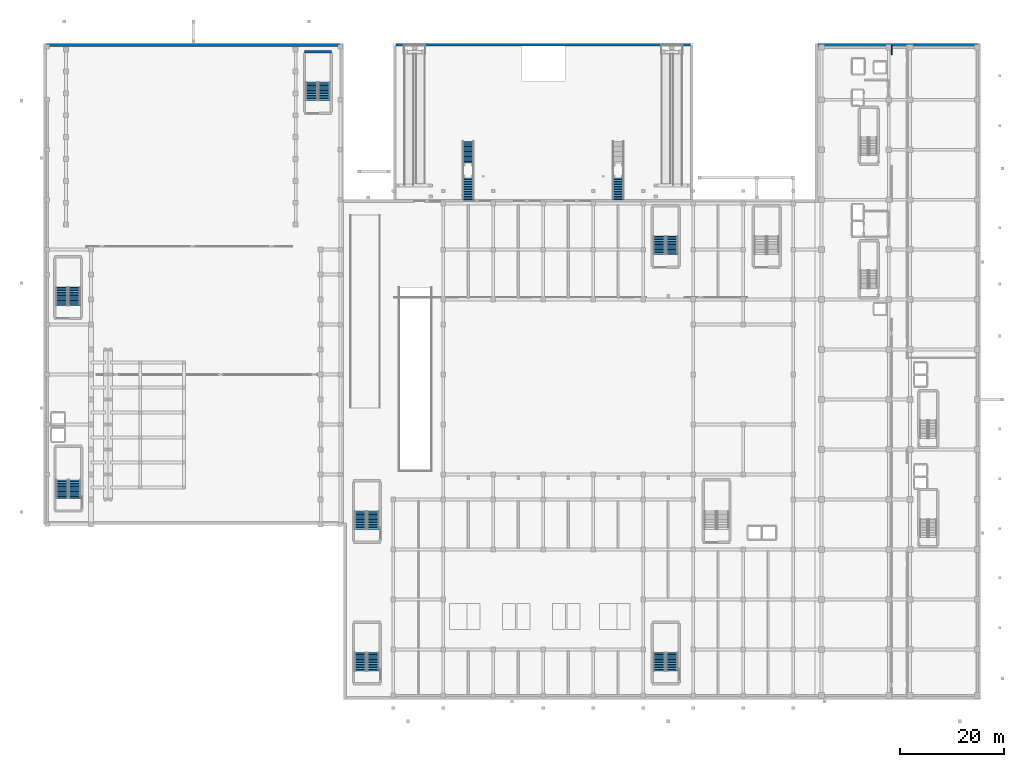
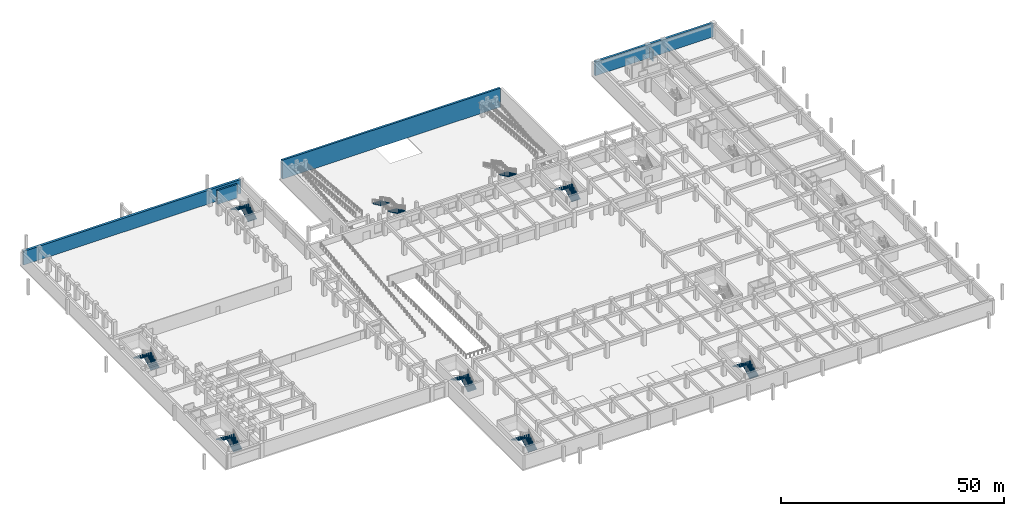
# One storey, part 19 of 39: 17 stair flights, 5 walls, 9 elements without a shape of their own.
"""IFC4 building model written with IfcOpenShell, lengths in metres."""

from ifc_helpers import new_model, si_unit, direction, frame, frame_2d, origin, place, context, subcontext, project, spatial, polyline, rectangle, outline, extrude, material, layer, layer_set, type_object, element, aggregate, save


model = new_model("IFC4")

# Units and contexts
model_context = context("Model", 3, precision=1e-05, world=origin(), true_north=direction((0.0, 1.0)))
body_context = subcontext(model_context, "Body", "Model", "MODEL_VIEW")
ifc_project = project(units=[si_unit("LENGTHUNIT", "METRE"), si_unit("AREAUNIT", "SQUARE_METRE"), si_unit("VOLUMEUNIT", "CUBIC_METRE"), si_unit("PLANEANGLEUNIT", "RADIAN"), si_unit("MASSUNIT", "GRAM", prefix="KILO")], contexts=[model_context])

# Site, building, storey
site_placement = place(None, origin())
site = spatial("IfcSite", under=ifc_project, at=site_placement, CompositionType="ELEMENT")
building_placement = place(site_placement, origin())
building = spatial("IfcBuilding", under=site, at=building_placement, Name="Nakhvara Creek Congress Hotel", CompositionType="ELEMENT")
storey_placement = place(building_placement, frame((0.0, 0.0, -4.199951171875)))
storey = spatial("IfcBuildingStorey", under=building, at=storey_placement, Name="B1", CompositionType="ELEMENT", Elevation=-4.199951171875)

# Walls
ifc_material_1 = material(Name="Concrete C50/60", Category="concrete")
ifc_layer_1 = layer(ifc_material_1, 0.449951171875)
ifc_layer_set_1 = layer_set([ifc_layer_1], Name="Concrete C50/60")
wall_type_1 = type_object("IfcWallType", Name="W-CORE-450", PredefinedType="SHEAR", material=ifc_layer_set_1)
wall_1_placement = place(storey_placement, frame((50.14990234375, 124.419921875, 0.0), z_axis=(0.0, 0.0, 1.0), x_axis=(1.0, 0.0, 0.0)))
element("IfcWall", 1, at=wall_1_placement, inside=storey, type_object=wall_type_1, Name="Core Shear Wall WS02-CWALL-B1-0876", PredefinedType="SHEAR", context=body_context, shape_type="SweptSolid", body=[
    extrude(rectangle(XDim=5.150146484375, YDim=0.449951171875, at=frame_2d((2.5751953125, 0.0))), origin(), (0.0, 0.0, 1.0), 3.780029296875),
])
ifc_material_2 = material(Name="Gypsum acoustic board on steel stud", Category="steel")
ifc_layer_2 = layer(ifc_material_2, 0.219970703125)
ifc_layer_set_2 = layer_set([ifc_layer_2], Name="Gypsum acoustic board on steel stud")
wall_type_2 = type_object("IfcWallType", Name="W-CORR-220", PredefinedType="PARTITIONING", material=ifc_layer_set_2)
wall_2_placement = place(storey_placement, frame((162.919921875, 123.800048828125, 0.0), z_axis=(0.0, 0.0, 1.0), x_axis=(0.0, 1.0, 0.0)))
element("IfcWall", 2, at=wall_2_placement, inside=storey, type_object=wall_type_2, Name="Interior Wall WP11-IW-B1-0041", PredefinedType="PARTITIONING", context=body_context, shape_type="SweptSolid", body=[
    extrude(rectangle(XDim=1.849853515625, YDim=0.219970703125, at=frame_2d((0.9248046875, 0.0))), origin(), (0.0, 0.0, 1.0), 3.02197265625),
])
ifc_material_3 = material(Name="Concrete C40/50", Category="concrete")
ifc_layer_3 = layer(ifc_material_3, 0.52001953125)
ifc_layer_set_3 = layer_set([ifc_layer_3], Name="Concrete C40/50")
wall_type_3 = type_object("IfcWallType", Name="W-RET-520", PredefinedType="USERDEFINED", material=ifc_layer_set_3)
wall_3_placement = place(storey_placement, frame((67.719970703125, 125.739990234375, 0.0), z_axis=(0.0, 0.0, 1.0), x_axis=(1.0, 0.0, 0.0)))
element("IfcWall", 3, at=wall_3_placement, inside=storey, type_object=wall_type_3, Name="Exterior Wall WR02-EW-B1-0022", ObjectType="RETAININGWALL", PredefinedType="USERDEFINED", context=body_context, shape_type="SweptSolid", body=[
    extrude(rectangle(XDim=56.56005859375, YDim=0.52001953125, at=frame_2d((28.280029296875, 0.0))), origin(), (0.0, 0.0, 1.0), 5.199951171875),
])
ifc_layer_4 = layer(ifc_material_3, 0.60009765625)
ifc_layer_set_4 = layer_set([ifc_layer_4], Name="Concrete C40/50")
wall_type_4 = type_object("IfcWallType", Name="W-RET-600", PredefinedType="USERDEFINED", material=ifc_layer_set_4)
wall_4_placement = place(storey_placement, frame((0.60009765625, 125.699951171875, 0.0), z_axis=(0.0, 0.0, 1.0), x_axis=(1.0, 0.0, 0.0)))
element("IfcWall", 4, at=wall_4_placement, inside=storey, type_object=wall_type_4, Name="Exterior Wall WR01-EW-B1-0012", ObjectType="RETAININGWALL", PredefinedType="USERDEFINED", context=body_context, shape_type="SweptSolid", body=[
    extrude(rectangle(XDim=56.39990234375, YDim=0.60009765625, at=frame_2d((28.199951171875, 0.0))), origin(), (0.0, 0.0, 1.0), 3.780029296875),
])
wall_5_placement = place(storey_placement, frame((148.800048828125, 125.699951171875, 0.0), z_axis=(0.0, 0.0, 1.0), x_axis=(1.0, 0.0, 0.0)))
element("IfcWall", 5, at=wall_5_placement, inside=storey, type_object=wall_type_4, Name="Exterior Wall WR01-EW-B1-0016", ObjectType="RETAININGWALL", PredefinedType="USERDEFINED", context=body_context, shape_type="SweptSolid", body=[
    extrude(rectangle(XDim=30.599853515625, YDim=0.60009765625, at=frame_2d((15.2998046875, 0.0))), origin(), (0.0, 0.0, 1.0), 3.780029296875),
])

# Stair, stair flights
stair_type_1 = type_object("IfcStairType", Name="ST-CORE-230", PredefinedType="HALF_TURN_STAIR", material=ifc_material_3)
stair_1_placement = place(storey_placement, origin())
stair_1 = element("IfcStair", 6, at=stair_1_placement, inside=storey, type_object=stair_type_1, Name="B1 Protected Exit Stair ST05", PredefinedType="HALF_TURN_STAIR")
ifc_layer_5 = layer(ifc_material_3, 0.219970703125)
ifc_layer_set_5 = layer_set([ifc_layer_5], Name="Concrete C40/50")
stair_flight_type_1 = type_object("IfcStairFlightType", Name="SFL-RC-230", PredefinedType="STRAIGHT", material=ifc_layer_set_5)
stair_flight_1_placement = place(storey_placement, frame((6.02001953125, 38.679931640625, 0.0), z_axis=(0.0, 0.0, 1.0), x_axis=(0.0, 1.0, 0.0)))
stair_flight_1 = element("IfcStairFlight", 7, at=stair_flight_1_placement, type_object=stair_flight_type_1, Name="ST05 flight 1", NumberOfRisers=12, NumberOfTreads=11, PredefinedType="STRAIGHT", RiserHeight=0.175, TreadLength=0.315, context=body_context, shape_type="SweptSolid", body=[
    extrude(outline(polyline([(-0.048095703125, 0.0), (0.0, 0.0), (0.0, 0.175048828125), (0.31494140625, 0.175048828125), (0.31494140625, 0.35009765625), (0.6298828125, 0.35009765625), (0.6298828125, 0.52490234375), (0.945068359375, 0.52490234375), (0.945068359375, 0.699951171875), (1.260009765625, 0.699951171875), (1.260009765625, 0.875), (1.574951171875, 0.875), (1.574951171875, 1.050048828125), (1.889892578125, 1.050048828125), (1.889892578125, 1.22509765625), (2.205078125, 1.22509765625), (2.205078125, 1.39990234375), (2.52001953125, 1.39990234375), (2.52001953125, 1.574951171875), (2.8349609375, 1.574951171875), (2.8349609375, 1.75), (3.14990234375, 1.75), (3.14990234375, 1.925048828125), (3.465087890625, 1.925048828125), (3.465087890625, 2.10009765625), (3.51318359375, 2.10009765625), (3.51318359375, 1.9501953125), (3.465087890625, 1.75341796875), (0.038818359375, -0.14990234375), (-0.048095703125, -0.14990234375), (-0.048095703125, 0.0)])), frame((0.0, 1.14013671875, 0.0), z_axis=(0.0, -1.0, 0.0), x_axis=(1.0, 0.0, 0.0)), (0.0, 0.0, 1.0), 2.280029296875),
])
stair_flight_2_placement = place(storey_placement, frame((3.590087890625, 42.14501953125, 2.099853515625), z_axis=(0.0, 0.0, 1.0), x_axis=(0.0, -1.0, 0.0)))
stair_flight_2 = element("IfcStairFlight", 8, at=stair_flight_2_placement, type_object=stair_flight_type_1, Name="ST05 flight 2", NumberOfRisers=12, NumberOfTreads=11, PredefinedType="STRAIGHT", RiserHeight=0.175, TreadLength=0.315, context=body_context, shape_type="SweptSolid", body=[
    extrude(outline(polyline([(-0.048095703125, 0.0), (0.0, 0.0), (0.0, 0.175048828125), (0.31494140625, 0.175048828125), (0.31494140625, 0.35009765625), (0.6298828125, 0.35009765625), (0.6298828125, 0.52490234375), (0.945068359375, 0.52490234375), (0.945068359375, 0.699951171875), (1.260009765625, 0.699951171875), (1.260009765625, 0.875), (1.574951171875, 0.875), (1.574951171875, 1.050048828125), (1.889892578125, 1.050048828125), (1.889892578125, 1.22509765625), (2.205078125, 1.22509765625), (2.205078125, 1.39990234375), (2.52001953125, 1.39990234375), (2.52001953125, 1.574951171875), (2.8349609375, 1.574951171875), (2.8349609375, 1.75), (3.14990234375, 1.75), (3.14990234375, 1.925048828125), (3.465087890625, 1.925048828125), (3.465087890625, 2.10009765625), (3.51318359375, 2.10009765625), (3.51318359375, 1.9501953125), (3.465087890625, 1.75341796875), (0.038818359375, -0.14990234375), (-0.048095703125, -0.14990234375), (-0.048095703125, 0.0)])), frame((0.0, 1.14013671875, 0.0), z_axis=(0.0, -1.0, 0.0), x_axis=(1.0, 0.0, 0.0)), (0.0, 0.0, 1.0), 2.280029296875),
])
aggregate(stair_1, [stair_flight_1, stair_flight_2])

stair_2_placement = place(storey_placement, origin())
stair_2 = element("IfcStair", 9, at=stair_2_placement, inside=storey, type_object=stair_type_1, Name="B1 Protected Exit Stair ST07", PredefinedType="HALF_TURN_STAIR")
stair_flight_3_placement = place(storey_placement, frame((5.93994140625, 75.679931640625, 0.0), z_axis=(0.0, 0.0, 1.0), x_axis=(0.0, 1.0, 0.0)))
stair_flight_3 = element("IfcStairFlight", 10, at=stair_flight_3_placement, type_object=stair_flight_type_1, Name="ST07 flight 1", NumberOfRisers=12, NumberOfTreads=11, PredefinedType="STRAIGHT", RiserHeight=0.175, TreadLength=0.315, context=body_context, shape_type="SweptSolid", body=[
    extrude(outline(polyline([(-0.048095703125, 0.0), (0.0, 0.0), (0.0, 0.175048828125), (0.31494140625, 0.175048828125), (0.31494140625, 0.35009765625), (0.6298828125, 0.35009765625), (0.6298828125, 0.52490234375), (0.945068359375, 0.52490234375), (0.945068359375, 0.699951171875), (1.260009765625, 0.699951171875), (1.260009765625, 0.875), (1.574951171875, 0.875), (1.574951171875, 1.050048828125), (1.889892578125, 1.050048828125), (1.889892578125, 1.22509765625), (2.205078125, 1.22509765625), (2.205078125, 1.39990234375), (2.52001953125, 1.39990234375), (2.52001953125, 1.574951171875), (2.8349609375, 1.574951171875), (2.8349609375, 1.75), (3.14990234375, 1.75), (3.14990234375, 1.925048828125), (3.465087890625, 1.925048828125), (3.465087890625, 2.10009765625), (3.51318359375, 2.10009765625), (3.51318359375, 1.9501953125), (3.465087890625, 1.75341796875), (0.038818359375, -0.14990234375), (-0.048095703125, -0.14990234375), (-0.048095703125, 0.0)])), frame((0.0, 1.14013671875, 0.0), z_axis=(0.0, -1.0, 0.0), x_axis=(1.0, 0.0, 0.0)), (0.0, 0.0, 1.0), 2.280029296875),
])
stair_flight_4_placement = place(storey_placement, frame((3.510009765625, 79.14501953125, 2.099853515625), z_axis=(0.0, 0.0, 1.0), x_axis=(0.0, -1.0, 0.0)))
stair_flight_4 = element("IfcStairFlight", 11, at=stair_flight_4_placement, type_object=stair_flight_type_1, Name="ST07 flight 2", NumberOfRisers=12, NumberOfTreads=11, PredefinedType="STRAIGHT", RiserHeight=0.175, TreadLength=0.315, context=body_context, shape_type="SweptSolid", body=[
    extrude(outline(polyline([(-0.048095703125, 0.0), (0.0, 0.0), (0.0, 0.175048828125), (0.31494140625, 0.175048828125), (0.31494140625, 0.35009765625), (0.6298828125, 0.35009765625), (0.6298828125, 0.52490234375), (0.945068359375, 0.52490234375), (0.945068359375, 0.699951171875), (1.260009765625, 0.699951171875), (1.260009765625, 0.875), (1.574951171875, 0.875), (1.574951171875, 1.050048828125), (1.889892578125, 1.050048828125), (1.889892578125, 1.22509765625), (2.205078125, 1.22509765625), (2.205078125, 1.39990234375), (2.52001953125, 1.39990234375), (2.52001953125, 1.574951171875), (2.8349609375, 1.574951171875), (2.8349609375, 1.75), (3.14990234375, 1.75), (3.14990234375, 1.925048828125), (3.465087890625, 1.925048828125), (3.465087890625, 2.10009765625), (3.51318359375, 2.10009765625), (3.51318359375, 1.9501953125), (3.465087890625, 1.75341796875), (0.038818359375, -0.14990234375), (-0.048095703125, -0.14990234375), (-0.048095703125, 0.0)])), frame((0.0, 1.14013671875, 0.0), z_axis=(0.0, -1.0, 0.0), x_axis=(1.0, 0.0, 0.0)), (0.0, 0.0, 1.0), 2.280029296875),
])
aggregate(stair_2, [stair_flight_3, stair_flight_4])

stair_3_placement = place(storey_placement, origin())
stair_3 = element("IfcStair", 12, at=stair_3_placement, inside=storey, type_object=stair_type_1, Name="B1 Protected Exit Stair ST08", PredefinedType="HALF_TURN_STAIR")
stair_flight_5_placement = place(storey_placement, frame((53.93994140625, 115.080078125, 0.0), z_axis=(0.0, 0.0, 1.0), x_axis=(0.0, 1.0, 0.0)))
stair_flight_5 = element("IfcStairFlight", 13, at=stair_flight_5_placement, type_object=stair_flight_type_1, Name="ST08 flight 1", NumberOfRisers=12, NumberOfTreads=11, PredefinedType="STRAIGHT", RiserHeight=0.175, TreadLength=0.315, context=body_context, shape_type="SweptSolid", body=[
    extrude(outline(polyline([(-0.048095703125, 0.0), (0.0, 0.0), (0.0, 0.175048828125), (0.31494140625, 0.175048828125), (0.31494140625, 0.35009765625), (0.6298828125, 0.35009765625), (0.6298828125, 0.52490234375), (0.945068359375, 0.52490234375), (0.945068359375, 0.699951171875), (1.260009765625, 0.699951171875), (1.260009765625, 0.875), (1.574951171875, 0.875), (1.574951171875, 1.050048828125), (1.889892578125, 1.050048828125), (1.889892578125, 1.22509765625), (2.205078125, 1.22509765625), (2.205078125, 1.39990234375), (2.52001953125, 1.39990234375), (2.52001953125, 1.574951171875), (2.8349609375, 1.574951171875), (2.8349609375, 1.75), (3.14990234375, 1.75), (3.14990234375, 1.925048828125), (3.465087890625, 1.925048828125), (3.465087890625, 2.10009765625), (3.51318359375, 2.10009765625), (3.51318359375, 1.9501953125), (3.465087890625, 1.75341796875), (0.038818359375, -0.14990234375), (-0.048095703125, -0.14990234375), (-0.048095703125, 0.0)])), frame((0.0, 1.14013671875, 0.0), z_axis=(0.0, -1.0, 0.0), x_axis=(1.0, 0.0, 0.0)), (0.0, 0.0, 1.0), 2.280029296875),
])
stair_flight_6_placement = place(storey_placement, frame((51.510009765625, 118.544921875, 2.099853515625), z_axis=(0.0, 0.0, 1.0), x_axis=(0.0, -1.0, 0.0)))
stair_flight_6 = element("IfcStairFlight", 14, at=stair_flight_6_placement, type_object=stair_flight_type_1, Name="ST08 flight 2", NumberOfRisers=12, NumberOfTreads=11, PredefinedType="STRAIGHT", RiserHeight=0.175, TreadLength=0.315, context=body_context, shape_type="SweptSolid", body=[
    extrude(outline(polyline([(-0.048095703125, 0.0), (0.0, 0.0), (0.0, 0.175048828125), (0.31494140625, 0.175048828125), (0.31494140625, 0.35009765625), (0.6298828125, 0.35009765625), (0.6298828125, 0.52490234375), (0.945068359375, 0.52490234375), (0.945068359375, 0.699951171875), (1.260009765625, 0.699951171875), (1.260009765625, 0.875), (1.574951171875, 0.875), (1.574951171875, 1.050048828125), (1.889892578125, 1.050048828125), (1.889892578125, 1.22509765625), (2.205078125, 1.22509765625), (2.205078125, 1.39990234375), (2.52001953125, 1.39990234375), (2.52001953125, 1.574951171875), (2.8349609375, 1.574951171875), (2.8349609375, 1.75), (3.14990234375, 1.75), (3.14990234375, 1.925048828125), (3.465087890625, 1.925048828125), (3.465087890625, 2.10009765625), (3.51318359375, 2.10009765625), (3.51318359375, 1.9501953125), (3.465087890625, 1.75341796875), (0.038818359375, -0.14990234375), (-0.048095703125, -0.14990234375), (-0.048095703125, 0.0)])), frame((0.0, 1.14013671875, 0.0), z_axis=(0.0, -1.0, 0.0), x_axis=(1.0, 0.0, 0.0)), (0.0, 0.0, 1.0), 2.280029296875),
])
aggregate(stair_3, [stair_flight_5, stair_flight_6])

stair_4_placement = place(storey_placement, origin())
stair_4 = element("IfcStair", 15, at=stair_4_placement, inside=storey, type_object=stair_type_1, Name="B1 Protected Exit Stair ST09", PredefinedType="HALF_TURN_STAIR")
stair_flight_7_placement = place(storey_placement, frame((120.739990234375, 85.47998046875, 0.0), z_axis=(0.0, 0.0, 1.0), x_axis=(0.0, 1.0, 0.0)))
stair_flight_7 = element("IfcStairFlight", 16, at=stair_flight_7_placement, type_object=stair_flight_type_1, Name="ST09 flight 1", NumberOfRisers=12, NumberOfTreads=11, PredefinedType="STRAIGHT", RiserHeight=0.175, TreadLength=0.315, context=body_context, shape_type="SweptSolid", body=[
    extrude(outline(polyline([(-0.048095703125, 0.0), (0.0, 0.0), (0.0, 0.175048828125), (0.31494140625, 0.175048828125), (0.31494140625, 0.35009765625), (0.6298828125, 0.35009765625), (0.6298828125, 0.52490234375), (0.945068359375, 0.52490234375), (0.945068359375, 0.699951171875), (1.260009765625, 0.699951171875), (1.260009765625, 0.875), (1.574951171875, 0.875), (1.574951171875, 1.050048828125), (1.889892578125, 1.050048828125), (1.889892578125, 1.22509765625), (2.205078125, 1.22509765625), (2.205078125, 1.39990234375), (2.52001953125, 1.39990234375), (2.52001953125, 1.574951171875), (2.8349609375, 1.574951171875), (2.8349609375, 1.75), (3.14990234375, 1.75), (3.14990234375, 1.925048828125), (3.465087890625, 1.925048828125), (3.465087890625, 2.10009765625), (3.51318359375, 2.10009765625), (3.51318359375, 1.9501953125), (3.465087890625, 1.75341796875), (0.038818359375, -0.14990234375), (-0.048095703125, -0.14990234375), (-0.048095703125, 0.0)])), frame((0.0, 1.14013671875, 0.0), z_axis=(0.0, -1.0, 0.0), x_axis=(1.0, 0.0, 0.0)), (0.0, 0.0, 1.0), 2.280029296875),
])
stair_flight_8_placement = place(storey_placement, frame((118.31005859375, 88.945068359375, 2.099853515625), z_axis=(0.0, 0.0, 1.0), x_axis=(0.0, -1.0, 0.0)))
stair_flight_8 = element("IfcStairFlight", 17, at=stair_flight_8_placement, type_object=stair_flight_type_1, Name="ST09 flight 2", NumberOfRisers=12, NumberOfTreads=11, PredefinedType="STRAIGHT", RiserHeight=0.175, TreadLength=0.315, context=body_context, shape_type="SweptSolid", body=[
    extrude(outline(polyline([(-0.048095703125, 0.0), (0.0, 0.0), (0.0, 0.175048828125), (0.31494140625, 0.175048828125), (0.31494140625, 0.35009765625), (0.6298828125, 0.35009765625), (0.6298828125, 0.52490234375), (0.945068359375, 0.52490234375), (0.945068359375, 0.699951171875), (1.260009765625, 0.699951171875), (1.260009765625, 0.875), (1.574951171875, 0.875), (1.574951171875, 1.050048828125), (1.889892578125, 1.050048828125), (1.889892578125, 1.22509765625), (2.205078125, 1.22509765625), (2.205078125, 1.39990234375), (2.52001953125, 1.39990234375), (2.52001953125, 1.574951171875), (2.8349609375, 1.574951171875), (2.8349609375, 1.75), (3.14990234375, 1.75), (3.14990234375, 1.925048828125), (3.465087890625, 1.925048828125), (3.465087890625, 2.10009765625), (3.51318359375, 2.10009765625), (3.51318359375, 1.9501953125), (3.465087890625, 1.75341796875), (0.038818359375, -0.14990234375), (-0.048095703125, -0.14990234375), (-0.048095703125, 0.0)])), frame((0.0, 1.14013671875, 0.0), z_axis=(0.0, -1.0, 0.0), x_axis=(1.0, 0.0, 0.0)), (0.0, 0.0, 1.0), 2.280029296875),
])
aggregate(stair_4, [stair_flight_7, stair_flight_8])

stair_5_placement = place(storey_placement, origin())
stair_5 = element("IfcStair", 18, at=stair_5_placement, inside=storey, type_object=stair_type_1, Name="B1 Protected Exit Stair ST11", PredefinedType="HALF_TURN_STAIR")
stair_flight_9_placement = place(storey_placement, frame((63.340087890625, 5.47998046875, 0.0), z_axis=(0.0, 0.0, 1.0), x_axis=(0.0, 1.0, 0.0)))
stair_flight_9 = element("IfcStairFlight", 19, at=stair_flight_9_placement, type_object=stair_flight_type_1, Name="ST11 flight 1", NumberOfRisers=12, NumberOfTreads=11, PredefinedType="STRAIGHT", RiserHeight=0.175, TreadLength=0.315, context=body_context, shape_type="SweptSolid", body=[
    extrude(outline(polyline([(-0.048095703125, 0.0), (0.0, 0.0), (0.0, 0.175048828125), (0.31494140625, 0.175048828125), (0.31494140625, 0.35009765625), (0.6298828125, 0.35009765625), (0.6298828125, 0.52490234375), (0.945068359375, 0.52490234375), (0.945068359375, 0.699951171875), (1.260009765625, 0.699951171875), (1.260009765625, 0.875), (1.574951171875, 0.875), (1.574951171875, 1.050048828125), (1.889892578125, 1.050048828125), (1.889892578125, 1.22509765625), (2.205078125, 1.22509765625), (2.205078125, 1.39990234375), (2.52001953125, 1.39990234375), (2.52001953125, 1.574951171875), (2.8349609375, 1.574951171875), (2.8349609375, 1.75), (3.14990234375, 1.75), (3.14990234375, 1.925048828125), (3.465087890625, 1.925048828125), (3.465087890625, 2.10009765625), (3.51318359375, 2.10009765625), (3.51318359375, 1.9501953125), (3.465087890625, 1.75341796875), (0.038818359375, -0.14990234375), (-0.048095703125, -0.14990234375), (-0.048095703125, 0.0)])), frame((0.0, 1.14013671875, 0.0), z_axis=(0.0, -1.0, 0.0), x_axis=(1.0, 0.0, 0.0)), (0.0, 0.0, 1.0), 2.280029296875),
])
stair_flight_10_placement = place(storey_placement, frame((60.909912109375, 8.945068359375, 2.099853515625), z_axis=(0.0, 0.0, 1.0), x_axis=(0.0, -1.0, 0.0)))
stair_flight_10 = element("IfcStairFlight", 20, at=stair_flight_10_placement, type_object=stair_flight_type_1, Name="ST11 flight 2", NumberOfRisers=12, NumberOfTreads=11, PredefinedType="STRAIGHT", RiserHeight=0.175, TreadLength=0.315, context=body_context, shape_type="SweptSolid", body=[
    extrude(outline(polyline([(-0.048095703125, 0.0), (0.0, 0.0), (0.0, 0.175048828125), (0.31494140625, 0.175048828125), (0.31494140625, 0.35009765625), (0.6298828125, 0.35009765625), (0.6298828125, 0.52490234375), (0.945068359375, 0.52490234375), (0.945068359375, 0.699951171875), (1.260009765625, 0.699951171875), (1.260009765625, 0.875), (1.574951171875, 0.875), (1.574951171875, 1.050048828125), (1.889892578125, 1.050048828125), (1.889892578125, 1.22509765625), (2.205078125, 1.22509765625), (2.205078125, 1.39990234375), (2.52001953125, 1.39990234375), (2.52001953125, 1.574951171875), (2.8349609375, 1.574951171875), (2.8349609375, 1.75), (3.14990234375, 1.75), (3.14990234375, 1.925048828125), (3.465087890625, 1.925048828125), (3.465087890625, 2.10009765625), (3.51318359375, 2.10009765625), (3.51318359375, 1.9501953125), (3.465087890625, 1.75341796875), (0.038818359375, -0.14990234375), (-0.048095703125, -0.14990234375), (-0.048095703125, 0.0)])), frame((0.0, 1.14013671875, 0.0), z_axis=(0.0, -1.0, 0.0), x_axis=(1.0, 0.0, 0.0)), (0.0, 0.0, 1.0), 2.280029296875),
])
aggregate(stair_5, [stair_flight_9, stair_flight_10])

stair_6_placement = place(storey_placement, origin())
stair_6 = element("IfcStair", 21, at=stair_6_placement, inside=storey, type_object=stair_type_1, Name="B1 Protected Exit Stair ST12", PredefinedType="HALF_TURN_STAIR")
stair_flight_11_placement = place(storey_placement, frame((120.739990234375, 5.47998046875, 0.0), z_axis=(0.0, 0.0, 1.0), x_axis=(0.0, 1.0, 0.0)))
stair_flight_11 = element("IfcStairFlight", 22, at=stair_flight_11_placement, type_object=stair_flight_type_1, Name="ST12 flight 1", NumberOfRisers=12, NumberOfTreads=11, PredefinedType="STRAIGHT", RiserHeight=0.175, TreadLength=0.315, context=body_context, shape_type="SweptSolid", body=[
    extrude(outline(polyline([(-0.048095703125, 0.0), (0.0, 0.0), (0.0, 0.175048828125), (0.31494140625, 0.175048828125), (0.31494140625, 0.35009765625), (0.6298828125, 0.35009765625), (0.6298828125, 0.52490234375), (0.945068359375, 0.52490234375), (0.945068359375, 0.699951171875), (1.260009765625, 0.699951171875), (1.260009765625, 0.875), (1.574951171875, 0.875), (1.574951171875, 1.050048828125), (1.889892578125, 1.050048828125), (1.889892578125, 1.22509765625), (2.205078125, 1.22509765625), (2.205078125, 1.39990234375), (2.52001953125, 1.39990234375), (2.52001953125, 1.574951171875), (2.8349609375, 1.574951171875), (2.8349609375, 1.75), (3.14990234375, 1.75), (3.14990234375, 1.925048828125), (3.465087890625, 1.925048828125), (3.465087890625, 2.10009765625), (3.51318359375, 2.10009765625), (3.51318359375, 1.9501953125), (3.465087890625, 1.75341796875), (0.038818359375, -0.14990234375), (-0.048095703125, -0.14990234375), (-0.048095703125, 0.0)])), frame((0.0, 1.14013671875, 0.0), z_axis=(0.0, -1.0, 0.0), x_axis=(1.0, 0.0, 0.0)), (0.0, 0.0, 1.0), 2.280029296875),
])
stair_flight_12_placement = place(storey_placement, frame((118.31005859375, 8.945068359375, 2.099853515625), z_axis=(0.0, 0.0, 1.0), x_axis=(0.0, -1.0, 0.0)))
stair_flight_12 = element("IfcStairFlight", 23, at=stair_flight_12_placement, type_object=stair_flight_type_1, Name="ST12 flight 2", NumberOfRisers=12, NumberOfTreads=11, PredefinedType="STRAIGHT", RiserHeight=0.175, TreadLength=0.315, context=body_context, shape_type="SweptSolid", body=[
    extrude(outline(polyline([(-0.048095703125, 0.0), (0.0, 0.0), (0.0, 0.175048828125), (0.31494140625, 0.175048828125), (0.31494140625, 0.35009765625), (0.6298828125, 0.35009765625), (0.6298828125, 0.52490234375), (0.945068359375, 0.52490234375), (0.945068359375, 0.699951171875), (1.260009765625, 0.699951171875), (1.260009765625, 0.875), (1.574951171875, 0.875), (1.574951171875, 1.050048828125), (1.889892578125, 1.050048828125), (1.889892578125, 1.22509765625), (2.205078125, 1.22509765625), (2.205078125, 1.39990234375), (2.52001953125, 1.39990234375), (2.52001953125, 1.574951171875), (2.8349609375, 1.574951171875), (2.8349609375, 1.75), (3.14990234375, 1.75), (3.14990234375, 1.925048828125), (3.465087890625, 1.925048828125), (3.465087890625, 2.10009765625), (3.51318359375, 2.10009765625), (3.51318359375, 1.9501953125), (3.465087890625, 1.75341796875), (0.038818359375, -0.14990234375), (-0.048095703125, -0.14990234375), (-0.048095703125, 0.0)])), frame((0.0, 1.14013671875, 0.0), z_axis=(0.0, -1.0, 0.0), x_axis=(1.0, 0.0, 0.0)), (0.0, 0.0, 1.0), 2.280029296875),
])
aggregate(stair_6, [stair_flight_11, stair_flight_12])

stair_7_placement = place(storey_placement, origin())
stair_7 = element("IfcStair", 24, at=stair_7_placement, inside=storey, type_object=stair_type_1, Name="B1 Protected Exit Stair ST13", PredefinedType="HALF_TURN_STAIR")
stair_flight_13_placement = place(storey_placement, frame((63.340087890625, 32.679931640625, 0.0), z_axis=(0.0, 0.0, 1.0), x_axis=(0.0, 1.0, 0.0)))
stair_flight_13 = element("IfcStairFlight", 25, at=stair_flight_13_placement, type_object=stair_flight_type_1, Name="ST13 flight 1", NumberOfRisers=12, NumberOfTreads=11, PredefinedType="STRAIGHT", RiserHeight=0.175, TreadLength=0.315, context=body_context, shape_type="SweptSolid", body=[
    extrude(outline(polyline([(-0.048095703125, 0.0), (0.0, 0.0), (0.0, 0.175048828125), (0.31494140625, 0.175048828125), (0.31494140625, 0.35009765625), (0.6298828125, 0.35009765625), (0.6298828125, 0.52490234375), (0.945068359375, 0.52490234375), (0.945068359375, 0.699951171875), (1.260009765625, 0.699951171875), (1.260009765625, 0.875), (1.574951171875, 0.875), (1.574951171875, 1.050048828125), (1.889892578125, 1.050048828125), (1.889892578125, 1.22509765625), (2.205078125, 1.22509765625), (2.205078125, 1.39990234375), (2.52001953125, 1.39990234375), (2.52001953125, 1.574951171875), (2.8349609375, 1.574951171875), (2.8349609375, 1.75), (3.14990234375, 1.75), (3.14990234375, 1.925048828125), (3.465087890625, 1.925048828125), (3.465087890625, 2.10009765625), (3.51318359375, 2.10009765625), (3.51318359375, 1.9501953125), (3.465087890625, 1.75341796875), (0.038818359375, -0.14990234375), (-0.048095703125, -0.14990234375), (-0.048095703125, 0.0)])), frame((0.0, 1.14013671875, 0.0), z_axis=(0.0, -1.0, 0.0), x_axis=(1.0, 0.0, 0.0)), (0.0, 0.0, 1.0), 2.280029296875),
])
stair_flight_14_placement = place(storey_placement, frame((60.909912109375, 36.14501953125, 2.099853515625), z_axis=(0.0, 0.0, 1.0), x_axis=(0.0, -1.0, 0.0)))
stair_flight_14 = element("IfcStairFlight", 26, at=stair_flight_14_placement, type_object=stair_flight_type_1, Name="ST13 flight 2", NumberOfRisers=12, NumberOfTreads=11, PredefinedType="STRAIGHT", RiserHeight=0.175, TreadLength=0.315, context=body_context, shape_type="SweptSolid", body=[
    extrude(outline(polyline([(-0.048095703125, 0.0), (0.0, 0.0), (0.0, 0.175048828125), (0.31494140625, 0.175048828125), (0.31494140625, 0.35009765625), (0.6298828125, 0.35009765625), (0.6298828125, 0.52490234375), (0.945068359375, 0.52490234375), (0.945068359375, 0.699951171875), (1.260009765625, 0.699951171875), (1.260009765625, 0.875), (1.574951171875, 0.875), (1.574951171875, 1.050048828125), (1.889892578125, 1.050048828125), (1.889892578125, 1.22509765625), (2.205078125, 1.22509765625), (2.205078125, 1.39990234375), (2.52001953125, 1.39990234375), (2.52001953125, 1.574951171875), (2.8349609375, 1.574951171875), (2.8349609375, 1.75), (3.14990234375, 1.75), (3.14990234375, 1.925048828125), (3.465087890625, 1.925048828125), (3.465087890625, 2.10009765625), (3.51318359375, 2.10009765625), (3.51318359375, 1.9501953125), (3.465087890625, 1.75341796875), (0.038818359375, -0.14990234375), (-0.048095703125, -0.14990234375), (-0.048095703125, 0.0)])), frame((0.0, 1.14013671875, 0.0), z_axis=(0.0, -1.0, 0.0), x_axis=(1.0, 0.0, 0.0)), (0.0, 0.0, 1.0), 2.280029296875),
])
aggregate(stair_7, [stair_flight_13, stair_flight_14])

stair_type_2 = type_object("IfcStairType", Name="ST-PLAZA-240", PredefinedType="STRAIGHT_RUN_STAIR", material=ifc_material_3)
stair_8_placement = place(storey_placement, origin())
stair_8 = element("IfcStair", 27, at=stair_8_placement, inside=storey, type_object=stair_type_2, Name="Metro Forecourt Monumental Stair ST21", PredefinedType="STRAIGHT_RUN_STAIR")
ifc_layer_6 = layer(ifc_material_3, 0.219970703125)
ifc_layer_set_6 = layer_set([ifc_layer_6], Name="Concrete C40/50")
stair_flight_type_2 = type_object("IfcStairFlightType", Name="SFL-RC-240", PredefinedType="STRAIGHT", material=ifc_layer_set_6)
stair_flight_15_placement = place(storey_placement, frame((81.60009765625, 107.159912109375, 0.0), z_axis=(0.0, 0.0, 1.0), x_axis=(0.0, -1.0, 0.0)))
stair_flight_15 = element("IfcStairFlight", 28, at=stair_flight_15_placement, type_object=stair_flight_type_2, Name="ST21 flight 1", NumberOfRisers=14, NumberOfTreads=13, PredefinedType="STRAIGHT", RiserHeight=0.15, TreadLength=0.32, context=body_context, shape_type="SweptSolid", body=[
    extrude(outline(polyline([(-0.048095703125, 0.0), (0.0, 0.0), (0.0, 0.14990234375), (0.320068359375, 0.14990234375), (0.320068359375, 0.300048828125), (0.639892578125, 0.300048828125), (0.639892578125, 0.449951171875), (0.9599609375, 0.449951171875), (0.9599609375, 0.60009765625), (1.280029296875, 0.60009765625), (1.280029296875, 0.75), (1.60009765625, 0.75), (1.60009765625, 0.89990234375), (1.919921875, 0.89990234375), (1.919921875, 1.050048828125), (2.239990234375, 1.050048828125), (2.239990234375, 1.199951171875), (2.56005859375, 1.199951171875), (2.56005859375, 1.35009765625), (2.8798828125, 1.35009765625), (2.8798828125, 1.5), (3.199951171875, 1.5), (3.199951171875, 1.64990234375), (3.52001953125, 1.64990234375), (3.52001953125, 1.800048828125), (3.840087890625, 1.800048828125), (3.840087890625, 1.949951171875), (4.159912109375, 1.949951171875), (4.159912109375, 2.10009765625), (4.2080078125, 2.10009765625), (4.2080078125, 1.9501953125), (4.159912109375, 1.784423828125), (0.033447265625, -0.14990234375), (-0.048095703125, -0.14990234375), (-0.048095703125, 0.0)])), frame((0.0, 1.050048828125, 0.0), z_axis=(0.0, -1.0, 0.0), x_axis=(1.0, 0.0, 0.0)), (0.0, 0.0, 1.0), 2.10009765625),
])
stair_flight_16_placement = place(storey_placement, frame((81.60009765625, 100.159912109375, 2.099853515625), z_axis=(0.0, 0.0, 1.0), x_axis=(0.0, -1.0, 0.0)))
stair_flight_16 = element("IfcStairFlight", 29, at=stair_flight_16_placement, type_object=stair_flight_type_2, Name="ST21 flight 2", NumberOfRisers=14, NumberOfTreads=13, PredefinedType="STRAIGHT", RiserHeight=0.15, TreadLength=0.32, context=body_context, shape_type="SweptSolid", body=[
    extrude(outline(polyline([(-0.048095703125, 0.0), (0.0, 0.0), (0.0, 0.14990234375), (0.320068359375, 0.14990234375), (0.320068359375, 0.300048828125), (0.639892578125, 0.300048828125), (0.639892578125, 0.449951171875), (0.9599609375, 0.449951171875), (0.9599609375, 0.60009765625), (1.280029296875, 0.60009765625), (1.280029296875, 0.75), (1.60009765625, 0.75), (1.60009765625, 0.89990234375), (1.919921875, 0.89990234375), (1.919921875, 1.050048828125), (2.239990234375, 1.050048828125), (2.239990234375, 1.199951171875), (2.56005859375, 1.199951171875), (2.56005859375, 1.35009765625), (2.8798828125, 1.35009765625), (2.8798828125, 1.5), (3.199951171875, 1.5), (3.199951171875, 1.64990234375), (3.52001953125, 1.64990234375), (3.52001953125, 1.800048828125), (3.840087890625, 1.800048828125), (3.840087890625, 1.949951171875), (4.159912109375, 1.949951171875), (4.159912109375, 2.10009765625), (4.2080078125, 2.10009765625), (4.2080078125, 1.9501953125), (4.159912109375, 1.784423828125), (0.033447265625, -0.14990234375), (-0.048095703125, -0.14990234375), (-0.048095703125, 0.0)])), frame((0.0, 1.050048828125, 0.0), z_axis=(0.0, -1.0, 0.0), x_axis=(1.0, 0.0, 0.0)), (0.0, 0.0, 1.0), 2.10009765625),
])
aggregate(stair_8, [stair_flight_15, stair_flight_16])

# Stair, stair flight
stair_9_placement = place(storey_placement, origin())
stair_9 = element("IfcStair", 30, at=stair_9_placement, inside=storey, type_object=stair_type_2, Name="Metro Forecourt Monumental Stair ST22", PredefinedType="STRAIGHT_RUN_STAIR")
stair_flight_17_placement = place(storey_placement, frame((110.39990234375, 100.159912109375, 2.099853515625), z_axis=(0.0, 0.0, 1.0), x_axis=(0.0, -1.0, 0.0)))
stair_flight_17 = element("IfcStairFlight", 31, at=stair_flight_17_placement, type_object=stair_flight_type_2, Name="ST22 flight 2", NumberOfRisers=14, NumberOfTreads=13, PredefinedType="STRAIGHT", RiserHeight=0.15, TreadLength=0.32, context=body_context, shape_type="SweptSolid", body=[
    extrude(outline(polyline([(-0.048095703125, 0.0), (0.0, 0.0), (0.0, 0.14990234375), (0.320068359375, 0.14990234375), (0.320068359375, 0.300048828125), (0.639892578125, 0.300048828125), (0.639892578125, 0.449951171875), (0.9599609375, 0.449951171875), (0.9599609375, 0.60009765625), (1.280029296875, 0.60009765625), (1.280029296875, 0.75), (1.60009765625, 0.75), (1.60009765625, 0.89990234375), (1.919921875, 0.89990234375), (1.919921875, 1.050048828125), (2.239990234375, 1.050048828125), (2.239990234375, 1.199951171875), (2.56005859375, 1.199951171875), (2.56005859375, 1.35009765625), (2.8798828125, 1.35009765625), (2.8798828125, 1.5), (3.199951171875, 1.5), (3.199951171875, 1.64990234375), (3.52001953125, 1.64990234375), (3.52001953125, 1.800048828125), (3.840087890625, 1.800048828125), (3.840087890625, 1.949951171875), (4.159912109375, 1.949951171875), (4.159912109375, 2.10009765625), (4.2080078125, 2.10009765625), (4.2080078125, 1.9501953125), (4.159912109375, 1.784423828125), (0.033447265625, -0.14990234375), (-0.048095703125, -0.14990234375), (-0.048095703125, 0.0)])), frame((0.0, 1.050048828125, 0.0), z_axis=(0.0, -1.0, 0.0), x_axis=(1.0, 0.0, 0.0)), (0.0, 0.0, 1.0), 2.10009765625),
])
aggregate(stair_9, [stair_flight_17])

save(model, "model.ifc")
